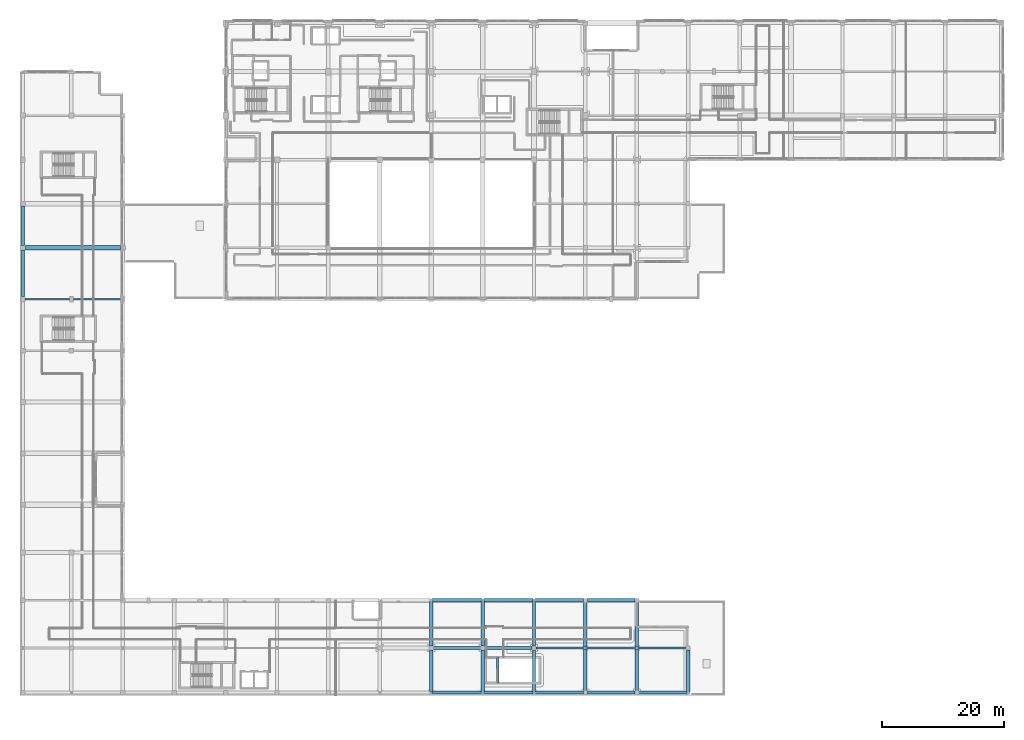
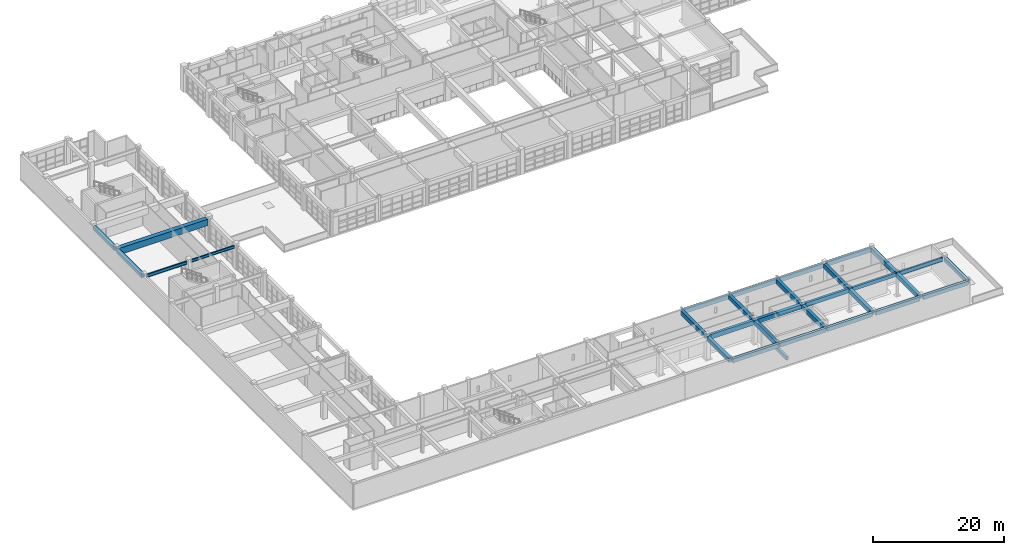
# One storey, part 26 of 123: 31 beams.
"""IFC4 building model written with IfcOpenShell, lengths in metres."""

from ifc_helpers import new_model, si_unit, direction, frame, origin, origin_2d, place, context, subcontext, project, spatial, rectangle, i_section, extrude, material, material_profile, profile_set, type_object, element, save


model = new_model("IFC4")

# Units and contexts
model_context = context("Model", 3, precision=1e-05, world=origin(), true_north=direction((0.0, 1.0)))
body_context = subcontext(model_context, "Body", "Model", "MODEL_VIEW")
ifc_project = project(units=[si_unit("LENGTHUNIT", "METRE"), si_unit("AREAUNIT", "SQUARE_METRE"), si_unit("VOLUMEUNIT", "CUBIC_METRE"), si_unit("PLANEANGLEUNIT", "RADIAN"), si_unit("MASSUNIT", "GRAM", prefix="KILO")], contexts=[model_context])

# Site, building, storey
site_placement = place(None, origin())
site = spatial("IfcSite", under=ifc_project, at=site_placement, CompositionType="ELEMENT")
building_placement = place(site_placement, origin())
building = spatial("IfcBuilding", under=site, at=building_placement, Name="Quendrovan Civic Courthouse", CompositionType="ELEMENT")
storey_placement = place(building_placement, frame((0.0, 0.0, 5.39990234375)))
storey = spatial("IfcBuildingStorey", under=building, at=storey_placement, Name="L02", CompositionType="ELEMENT", Elevation=5.39990234375)

# Beams
ifc_material_1 = material(Name="Post-tensioned concrete C50/60", Category="concrete")
ifc_material_profile_1 = material_profile(ifc_material_1, rectangle(XDim=0.75, YDim=1.199951171875, at=origin_2d()), Name="PT-GIRD-750x1200")
ifc_profile_set_1 = profile_set([ifc_material_profile_1], Name="Post-tensioned concrete C50/60")
beam_type_1 = type_object("IfcBeamType", Name="BM-PT1200", PredefinedType="BEAM", material=ifc_profile_set_1)
beam_1_placement = place(storey_placement, frame((0.8798828125, 73.199951171875, 3.760009765625), z_axis=(1.0, 0.0, 0.0), x_axis=(0.0, 1.0, 0.0)))
element("IfcBeam", 1, at=beam_1_placement, inside=storey, type_object=beam_type_1, Name="L02 Girder X0539", PredefinedType="BEAM", context=body_context, shape_type="SweptSolid", body=[
    extrude(rectangle(XDim=0.75, YDim=1.199951171875, at=origin_2d()), origin(), (0.0, 0.0, 1.0), 15.5400390625),
])
ifc_material_2 = material(Name="Concrete C40/50", Category="concrete")
ifc_material_profile_2 = material_profile(ifc_material_2, rectangle(XDim=0.39990234375, YDim=0.64990234375, at=origin_2d()), Name="RC-BM-400x650")
ifc_profile_set_2 = profile_set([ifc_material_profile_2], Name="Concrete C40/50")
beam_type_2 = type_object("IfcBeamType", Name="BM-RC650", PredefinedType="JOIST", material=ifc_profile_set_2)
beam_2_placement = place(storey_placement, frame((78.050048828125, 2.050048828125, -0.324951171875), z_axis=(0.0, 1.0, 0.0), x_axis=(-1.0, 0.0, 0.0)))
element("IfcBeam", 2, at=beam_2_placement, inside=storey, type_object=beam_type_2, Name="L02 Stair ST7 Landing Trimmer Beam", PredefinedType="JOIST", context=body_context, shape_type="SweptSolid", body=[
    extrude(rectangle(XDim=0.39990234375, YDim=0.64990234375, at=origin_2d()), origin(), (0.0, 0.0, 1.0), 4.199951171875),
])
ifc_material_profile_3 = material_profile(ifc_material_2, rectangle(XDim=0.35009765625, YDim=0.64990234375, at=origin_2d()), Name="RC-BM-350x650")
ifc_profile_set_3 = profile_set([ifc_material_profile_3], Name="Concrete C40/50")
beam_type_3 = type_object("IfcBeamType", Name="BM-RC650B", PredefinedType="BEAM", material=ifc_profile_set_3)
beam_3_placement = place(storey_placement, frame((92.530029296875, 7.800048828125, 4.03515625), z_axis=(1.0, 0.0, 0.0), x_axis=(0.0, 1.0, 0.0)))
element("IfcBeam", 3, at=beam_3_placement, inside=storey, type_object=beam_type_3, Name="L02 Girder X0505", PredefinedType="BEAM", context=body_context, shape_type="SweptSolid", body=[
    extrude(rectangle(XDim=0.35009765625, YDim=0.64990234375, at=origin_2d()), origin(), (0.0, 0.0, 1.0), 8.139892578125),
])
ifc_material_profile_4 = material_profile(ifc_material_2, rectangle(XDim=0.5, YDim=0.75, at=origin_2d()), Name="RC-BM-500x750")
ifc_profile_set_4 = profile_set([ifc_material_profile_4], Name="Concrete C40/50")
beam_type_4 = type_object("IfcBeamType", Name="BM-RC750", PredefinedType="SPANDREL", material=ifc_profile_set_4)
beam_4_placement = place(storey_placement, frame((67.366943359375, 0.5, 3.985107421875), z_axis=(1.0, 0.0, 0.0), x_axis=(0.0, 1.0, 0.0)))
element("IfcBeam", 4, at=beam_4_placement, inside=storey, type_object=beam_type_4, Name="L02 Girder X0489", PredefinedType="SPANDREL", context=body_context, shape_type="SweptSolid", body=[
    extrude(rectangle(XDim=0.5, YDim=0.75, at=origin_2d()), origin(), (0.0, 0.0, 1.0), 8.10302734375),
])
beam_5_placement = place(storey_placement, frame((75.72998046875, 0.5, 3.985107421875), z_axis=(1.0, 0.0, 0.0), x_axis=(0.0, 1.0, 0.0)))
element("IfcBeam", 5, at=beam_5_placement, inside=storey, type_object=beam_type_4, Name="L02 Girder X0490", PredefinedType="SPANDREL", context=body_context, shape_type="SweptSolid", body=[
    extrude(rectangle(XDim=0.5, YDim=0.75, at=origin_2d()), origin(), (0.0, 0.0, 1.0), 8.14013671875),
])
beam_6_placement = place(storey_placement, frame((84.1298828125, 0.5, 3.985107421875), z_axis=(1.0, 0.0, 0.0), x_axis=(0.0, 1.0, 0.0)))
element("IfcBeam", 6, at=beam_6_placement, inside=storey, type_object=beam_type_4, Name="L02 Girder X0491", PredefinedType="SPANDREL", context=body_context, shape_type="SweptSolid", body=[
    extrude(rectangle(XDim=0.5, YDim=0.75, at=origin_2d()), origin(), (0.0, 0.0, 1.0), 7.965087890625),
])
beam_7_placement = place(storey_placement, frame((92.705078125, 0.5, 3.985107421875), z_axis=(1.0, 0.0, 0.0), x_axis=(0.0, 1.0, 0.0)))
element("IfcBeam", 7, at=beam_7_placement, inside=storey, type_object=beam_type_4, Name="L02 Girder X0492", PredefinedType="SPANDREL", context=body_context, shape_type="SweptSolid", body=[
    extrude(rectangle(XDim=0.5, YDim=0.75, at=origin_2d()), origin(), (0.0, 0.0, 1.0), 7.7900390625),
])
beam_8_placement = place(storey_placement, frame((101.10498046875, 0.5, 3.985107421875), z_axis=(1.0, 0.0, 0.0), x_axis=(0.0, 1.0, 0.0)))
element("IfcBeam", 8, at=beam_8_placement, inside=storey, type_object=beam_type_4, Name="L02 Girder X0493", PredefinedType="SPANDREL", context=body_context, shape_type="SweptSolid", body=[
    extrude(rectangle(XDim=0.5, YDim=0.75, at=origin_2d()), origin(), (0.0, 0.0, 1.0), 7.965087890625),
])
beam_9_placement = place(storey_placement, frame((67.330078125, 15.60009765625, 3.985107421875), z_axis=(1.0, 0.0, 0.0), x_axis=(0.0, 1.0, 0.0)))
element("IfcBeam", 9, at=beam_9_placement, inside=storey, type_object=beam_type_4, Name="L02 Girder X0517", PredefinedType="SPANDREL", context=body_context, shape_type="SweptSolid", body=[
    extrude(rectangle(XDim=0.5, YDim=0.75, at=origin_2d()), origin(), (0.0, 0.0, 1.0), 8.139892578125),
])
beam_10_placement = place(storey_placement, frame((75.72998046875, 15.60009765625, 3.985107421875), z_axis=(1.0, 0.0, 0.0), x_axis=(0.0, 1.0, 0.0)))
element("IfcBeam", 10, at=beam_10_placement, inside=storey, type_object=beam_type_4, Name="L02 Girder X0518", PredefinedType="SPANDREL", context=body_context, shape_type="SweptSolid", body=[
    extrude(rectangle(XDim=0.5, YDim=0.75, at=origin_2d()), origin(), (0.0, 0.0, 1.0), 8.14013671875),
])
beam_11_placement = place(storey_placement, frame((84.1298828125, 15.60009765625, 3.985107421875), z_axis=(1.0, 0.0, 0.0), x_axis=(0.0, 1.0, 0.0)))
element("IfcBeam", 11, at=beam_11_placement, inside=storey, type_object=beam_type_4, Name="L02 Girder X0519", PredefinedType="SPANDREL", context=body_context, shape_type="SweptSolid", body=[
    extrude(rectangle(XDim=0.5, YDim=0.75, at=origin_2d()), origin(), (0.0, 0.0, 1.0), 7.965087890625),
])
beam_12_placement = place(storey_placement, frame((92.705078125, 15.60009765625, 3.985107421875), z_axis=(1.0, 0.0, 0.0), x_axis=(0.0, 1.0, 0.0)))
element("IfcBeam", 12, at=beam_12_placement, inside=storey, type_object=beam_type_4, Name="L02 Girder X0520", PredefinedType="SPANDREL", context=body_context, shape_type="SweptSolid", body=[
    extrude(rectangle(XDim=0.5, YDim=0.75, at=origin_2d()), origin(), (0.0, 0.0, 1.0), 7.7900390625),
])
beam_13_placement = place(storey_placement, frame((0.5, 65.205078125, 3.985107421875), z_axis=(0.0, 1.0, 0.0), x_axis=(-1.0, 0.0, 0.0)))
element("IfcBeam", 13, at=beam_13_placement, inside=storey, type_object=beam_type_4, Name="L02 Girder Y0613", PredefinedType="SPANDREL", context=body_context, shape_type="SweptSolid", body=[
    extrude(rectangle(XDim=0.5, YDim=0.75, at=origin_2d()), origin(), (0.0, 0.0, 1.0), 7.614990234375),
])
beam_14_placement = place(storey_placement, frame((0.5, 73.580078125, 3.985107421875), z_axis=(0.0, 1.0, 0.0), x_axis=(-1.0, 0.0, 0.0)))
element("IfcBeam", 14, at=beam_14_placement, inside=storey, type_object=beam_type_4, Name="L02 Girder Y0614", PredefinedType="SPANDREL", context=body_context, shape_type="SweptSolid", body=[
    extrude(rectangle(XDim=0.5, YDim=0.75, at=origin_2d()), origin(), (0.0, 0.0, 1.0), 6.46484375),
])
beam_15_placement = place(storey_placement, frame((109.199951171875, 0.6298828125, 3.985107421875), z_axis=(0.0, 1.0, 0.0), x_axis=(-1.0, 0.0, 0.0)))
element("IfcBeam", 15, at=beam_15_placement, inside=storey, type_object=beam_type_4, Name="L02 Girder Y0690", PredefinedType="SPANDREL", context=body_context, shape_type="SweptSolid", body=[
    extrude(rectangle(XDim=0.5, YDim=0.75, at=origin_2d()), origin(), (0.0, 0.0, 1.0), 6.865234375),
])
ifc_material_profile_5 = material_profile(ifc_material_2, rectangle(XDim=0.39990234375, YDim=0.75, at=origin_2d()), Name="RC-BM-400x750")
ifc_profile_set_5 = profile_set([ifc_material_profile_5], Name="Concrete C40/50")
beam_type_5 = type_object("IfcBeamType", Name="BM-RC750B", PredefinedType="BEAM", material=ifc_profile_set_5)
beam_16_placement = place(storey_placement, frame((84.304931640625, 7.800048828125, 3.985107421875), z_axis=(1.0, 0.0, 0.0), x_axis=(0.0, 1.0, 0.0)))
element("IfcBeam", 16, at=beam_16_placement, inside=storey, type_object=beam_type_5, Name="L02 Girder X0504", PredefinedType="BEAM", context=body_context, shape_type="SweptSolid", body=[
    extrude(rectangle(XDim=0.39990234375, YDim=0.75, at=origin_2d()), origin(), (0.0, 0.0, 1.0), 7.965087890625),
])
ifc_material_profile_6 = material_profile(ifc_material_2, rectangle(XDim=0.550048828125, YDim=0.800048828125, at=origin_2d()), Name="RC-BM-550x800")
ifc_profile_set_6 = profile_set([ifc_material_profile_6], Name="Concrete C40/50")
beam_type_6 = type_object("IfcBeamType", Name="BM-RC800", PredefinedType="BEAM", material=ifc_profile_set_6)
beam_17_placement = place(storey_placement, frame((75.905029296875, 7.800048828125, 3.960205078125), z_axis=(1.0, 0.0, 0.0), x_axis=(0.0, 1.0, 0.0)))
element("IfcBeam", 17, at=beam_17_placement, inside=storey, type_object=beam_type_6, Name="L02 Girder X0503", PredefinedType="BEAM", context=body_context, shape_type="SweptSolid", body=[
    extrude(rectangle(XDim=0.550048828125, YDim=0.800048828125, at=origin_2d()), origin(), (0.0, 0.0, 1.0), 7.7900390625),
])
beam_18_placement = place(storey_placement, frame((67.199951171875, 0.666015625, 3.960205078125), z_axis=(0.0, 1.0, 0.0), x_axis=(-1.0, 0.0, 0.0)))
element("IfcBeam", 18, at=beam_18_placement, inside=storey, type_object=beam_type_6, Name="L02 Girder Y0658", PredefinedType="BEAM", context=body_context, shape_type="SweptSolid", body=[
    extrude(rectangle(XDim=0.550048828125, YDim=0.800048828125, at=origin_2d()), origin(), (0.0, 0.0, 1.0), 6.803955078125),
])
beam_19_placement = place(storey_placement, frame((67.199951171875, 8.1298828125, 3.960205078125), z_axis=(0.0, 1.0, 0.0), x_axis=(-1.0, 0.0, 0.0)))
element("IfcBeam", 19, at=beam_19_placement, inside=storey, type_object=beam_type_6, Name="L02 Girder Y0659", PredefinedType="BEAM", context=body_context, shape_type="SweptSolid", body=[
    extrude(rectangle(XDim=0.550048828125, YDim=0.800048828125, at=origin_2d()), origin(), (0.0, 0.0, 1.0), 7.340087890625),
])
beam_20_placement = place(storey_placement, frame((75.60009765625, 0.6298828125, 3.960205078125), z_axis=(0.0, 1.0, 0.0), x_axis=(-1.0, 0.0, 0.0)))
element("IfcBeam", 20, at=beam_20_placement, inside=storey, type_object=beam_type_6, Name="L02 Girder Y0664", PredefinedType="BEAM", context=body_context, shape_type="SweptSolid", body=[
    extrude(rectangle(XDim=0.550048828125, YDim=0.800048828125, at=origin_2d()), origin(), (0.0, 0.0, 1.0), 6.865234375),
])
beam_21_placement = place(storey_placement, frame((75.60009765625, 8.10498046875, 3.960205078125), z_axis=(0.0, 1.0, 0.0), x_axis=(-1.0, 0.0, 0.0)))
element("IfcBeam", 21, at=beam_21_placement, inside=storey, type_object=beam_type_6, Name="L02 Girder Y0665", PredefinedType="BEAM", context=body_context, shape_type="SweptSolid", body=[
    extrude(rectangle(XDim=0.550048828125, YDim=0.800048828125, at=origin_2d()), origin(), (0.0, 0.0, 1.0), 7.364990234375),
])
beam_22_placement = place(storey_placement, frame((84.0, 0.6298828125, 3.960205078125), z_axis=(0.0, 1.0, 0.0), x_axis=(-1.0, 0.0, 0.0)))
element("IfcBeam", 22, at=beam_22_placement, inside=storey, type_object=beam_type_6, Name="L02 Girder Y0668", PredefinedType="BEAM", context=body_context, shape_type="SweptSolid", body=[
    extrude(rectangle(XDim=0.550048828125, YDim=0.800048828125, at=origin_2d()), origin(), (0.0, 0.0, 1.0), 6.865234375),
])
beam_23_placement = place(storey_placement, frame((84.0, 8.10498046875, 3.960205078125), z_axis=(0.0, 1.0, 0.0), x_axis=(-1.0, 0.0, 0.0)))
element("IfcBeam", 23, at=beam_23_placement, inside=storey, type_object=beam_type_6, Name="L02 Girder Y0669", PredefinedType="BEAM", context=body_context, shape_type="SweptSolid", body=[
    extrude(rectangle(XDim=0.550048828125, YDim=0.800048828125, at=origin_2d()), origin(), (0.0, 0.0, 1.0), 7.364990234375),
])
beam_24_placement = place(storey_placement, frame((92.39990234375, 0.804931640625, 3.960205078125), z_axis=(0.0, 1.0, 0.0), x_axis=(-1.0, 0.0, 0.0)))
element("IfcBeam", 24, at=beam_24_placement, inside=storey, type_object=beam_type_6, Name="L02 Girder Y0675", PredefinedType="BEAM", context=body_context, shape_type="SweptSolid", body=[
    extrude(rectangle(XDim=0.550048828125, YDim=0.800048828125, at=origin_2d()), origin(), (0.0, 0.0, 1.0), 6.864990234375),
])
beam_25_placement = place(storey_placement, frame((92.39990234375, 7.929931640625, 3.960205078125), z_axis=(0.0, 1.0, 0.0), x_axis=(-1.0, 0.0, 0.0)))
element("IfcBeam", 25, at=beam_25_placement, inside=storey, type_object=beam_type_6, Name="L02 Girder Y0676", PredefinedType="BEAM", context=body_context, shape_type="SweptSolid", body=[
    extrude(rectangle(XDim=0.550048828125, YDim=0.800048828125, at=origin_2d()), origin(), (0.0, 0.0, 1.0), 7.364990234375),
])
beam_26_placement = place(storey_placement, frame((100.800048828125, 0.804931640625, 3.960205078125), z_axis=(0.0, 1.0, 0.0), x_axis=(-1.0, 0.0, 0.0)))
element("IfcBeam", 26, at=beam_26_placement, inside=storey, type_object=beam_type_6, Name="L02 Girder Y0683", PredefinedType="BEAM", context=body_context, shape_type="SweptSolid", body=[
    extrude(rectangle(XDim=0.550048828125, YDim=0.800048828125, at=origin_2d()), origin(), (0.0, 0.0, 1.0), 6.864990234375),
])
beam_27_placement = place(storey_placement, frame((100.800048828125, 7.929931640625, 3.960205078125), z_axis=(0.0, 1.0, 0.0), x_axis=(-1.0, 0.0, 0.0)))
element("IfcBeam", 27, at=beam_27_placement, inside=storey, type_object=beam_type_6, Name="L02 Girder Y0684", PredefinedType="BEAM", context=body_context, shape_type="SweptSolid", body=[
    extrude(rectangle(XDim=0.550048828125, YDim=0.800048828125, at=origin_2d()), origin(), (0.0, 0.0, 1.0), 7.364990234375),
])
ifc_material_3 = material(Name="Concrete C45/55", Category="concrete")
ifc_material_profile_7 = material_profile(ifc_material_3, rectangle(XDim=0.449951171875, YDim=0.85009765625, at=origin_2d()), Name="RC-BM-450x850")
ifc_profile_set_7 = profile_set([ifc_material_profile_7], Name="Concrete C45/55")
beam_type_7 = type_object("IfcBeamType", Name="BM-RC850", PredefinedType="BEAM", material=ifc_profile_set_7)
beam_28_placement = place(storey_placement, frame((67.530029296875, 7.800048828125, 3.93505859375), z_axis=(1.0, 0.0, 0.0), x_axis=(0.0, 1.0, 0.0)))
element("IfcBeam", 28, at=beam_28_placement, inside=storey, type_object=beam_type_7, Name="L02 Girder X0502", PredefinedType="BEAM", context=body_context, shape_type="SweptSolid", body=[
    extrude(rectangle(XDim=0.449951171875, YDim=0.85009765625, at=origin_2d()), origin(), (0.0, 0.0, 1.0), 7.764892578125),
])
ifc_material_4 = material(Name="Steel ASTM A992 Grade 50", Category="steel")
ifc_material_profile_8 = material_profile(ifc_material_4, i_section(OverallWidth=0.208984375, OverallDepth=0.532958984375, WebThickness=0.01025390625, FlangeThickness=0.015625, at=origin_2d()), Name="W21X62")
ifc_profile_set_8 = profile_set([ifc_material_profile_8], Name="Steel ASTM A992 Grade 50")
beam_type_8 = type_object("IfcBeamType", Name="BM-STL-W21", PredefinedType="JOIST", material=ifc_profile_set_8)
beam_29_placement = place(storey_placement, frame((8.72998046875, 64.800048828125, 4.093505859375), z_axis=(1.0, 0.0, 0.0), x_axis=(0.0, 1.0, 0.0)))
element("IfcBeam", 29, at=beam_29_placement, inside=storey, type_object=beam_type_8, Name="L02 Girder X0529", PredefinedType="JOIST", context=body_context, shape_type="SweptSolid", body=[
    extrude(i_section(OverallWidth=0.208984375, OverallDepth=0.532958984375, WebThickness=0.01025390625, FlangeThickness=0.015625, at=origin_2d()), origin(), (0.0, 0.0, 1.0), 7.739990234375),
])
ifc_material_profile_9 = material_profile(ifc_material_4, i_section(OverallWidth=0.22802734375, OverallDepth=0.60693359375, WebThickness=0.01123046875, FlangeThickness=0.017333984375, at=origin_2d()), Name="W24X76")
ifc_profile_set_9 = profile_set([ifc_material_profile_9], Name="Steel ASTM A992 Grade 50")
beam_type_9 = type_object("IfcBeamType", Name="BM-STL-W24", PredefinedType="BEAM", material=ifc_profile_set_9)
beam_30_placement = place(storey_placement, frame((0.830078125, 64.800048828125, 4.056640625), z_axis=(1.0, 0.0, 0.0), x_axis=(0.0, 1.0, 0.0)))
element("IfcBeam", 30, at=beam_30_placement, inside=storey, type_object=beam_type_9, Name="L02 Girder X0528", PredefinedType="BEAM", context=body_context, shape_type="SweptSolid", body=[
    extrude(i_section(OverallWidth=0.22802734375, OverallDepth=0.60693359375, WebThickness=0.01123046875, FlangeThickness=0.017333984375, at=origin_2d()), origin(), (0.0, 0.0, 1.0), 7.239990234375),
])
ifc_material_profile_10 = material_profile(ifc_material_4, i_section(OverallWidth=0.26611328125, OverallDepth=0.758056640625, WebThickness=0.013916015625, FlangeThickness=0.019287109375, at=origin_2d()), Name="W30X108")
ifc_profile_set_10 = profile_set([ifc_material_profile_10], Name="Steel ASTM A992 Grade 50")
beam_type_10 = type_object("IfcBeamType", Name="BM-STL-W30", PredefinedType="BEAM", material=ifc_profile_set_10)
beam_31_placement = place(storey_placement, frame((100.929931640625, 7.800048828125, 3.981201171875), z_axis=(1.0, 0.0, 0.0), x_axis=(0.0, 1.0, 0.0)))
element("IfcBeam", 31, at=beam_31_placement, inside=storey, type_object=beam_type_10, Name="L02 Girder X0506", PredefinedType="BEAM", context=body_context, shape_type="SweptSolid", body=[
    extrude(i_section(OverallWidth=0.26611328125, OverallDepth=0.758056640625, WebThickness=0.013916015625, FlangeThickness=0.019287109375, at=origin_2d()), origin(), (0.0, 0.0, 1.0), 7.965087890625),
])

save(model, "model.ifc")
